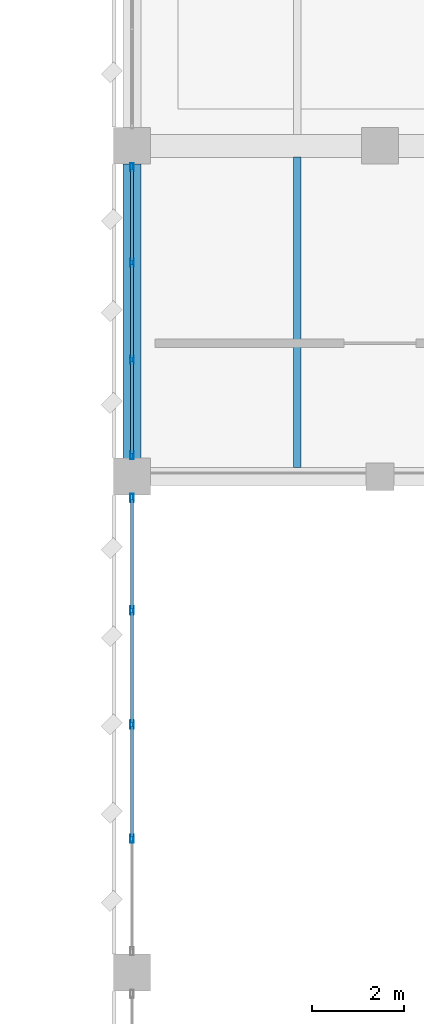
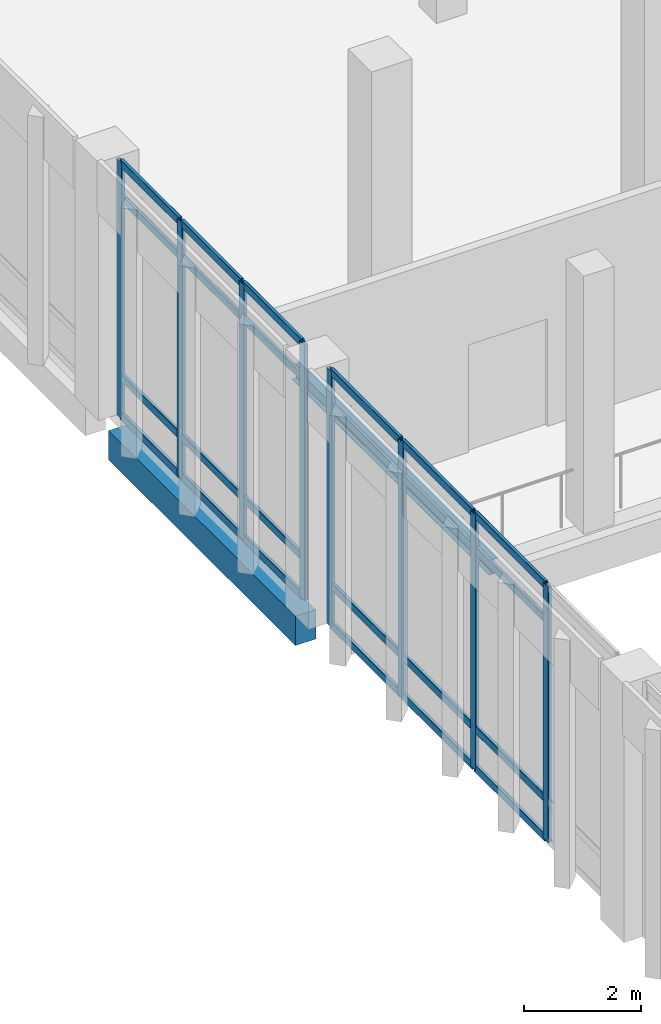
# One storey, part 17 of 180: 32 members, 2 beams, 2 elements without a shape of their own.
"""IFC4 building model written with IfcOpenShell, lengths in metres."""

from ifc_helpers import new_model, si_unit, direction, frame, origin, origin_2d, place, context, subcontext, project, spatial, rectangle, hollow_rectangle, i_section, extrude, material, material_profile, profile_set, type_object, element, aggregate, save


model = new_model("IFC4")

# Units and contexts
model_context = context("Model", 3, precision=1e-05, world=origin(), true_north=direction((0.0, 1.0)))
body_context = subcontext(model_context, "Body", "Model", "MODEL_VIEW")
ifc_project = project(units=[si_unit("LENGTHUNIT", "METRE"), si_unit("AREAUNIT", "SQUARE_METRE"), si_unit("VOLUMEUNIT", "CUBIC_METRE"), si_unit("PLANEANGLEUNIT", "RADIAN"), si_unit("MASSUNIT", "GRAM", prefix="KILO")], contexts=[model_context])

# Site, building, storey
site_placement = place(None, origin())
site = spatial("IfcSite", under=ifc_project, at=site_placement, CompositionType="ELEMENT")
building_placement = place(site_placement, origin())
building = spatial("IfcBuilding", under=site, at=building_placement, Name="Lusvemor Sports Hall", CompositionType="ELEMENT")
storey_placement = place(building_placement, frame((0.0, 0.0, 5.39990234375)))
storey = spatial("IfcBuildingStorey", under=building, at=storey_placement, Name="L01", CompositionType="ELEMENT", Elevation=5.39990234375)

# Curtain wall, members
ifc_material_1 = material(Name="Thermally broken bronze-anodized aluminium", Category="aluminium")
curtain_wall_type = type_object("IfcCurtainWallType", Name="CW_COURT_C", PredefinedType="NOTDEFINED", material=ifc_material_1)
curtain_wall_1_placement = place(storey_placement, origin())
curtain_wall_1 = element("IfcCurtainWall", 1, at=curtain_wall_1_placement, inside=storey, type_object=curtain_wall_type, Name="Curtain Wall CW-V1W-L01-4", PredefinedType="NOTDEFINED")
ifc_material_2 = material(Name="Thermally broken bronze-anodized aluminium", Category="aluminium")
ifc_material_profile_1 = material_profile(ifc_material_2, hollow_rectangle(XDim=0.070068359375, YDim=0.179931640625, WallThickness=0.0048828125, InnerFilletRadius=0.0048828125, OuterFilletRadius=0.010009765625, at=origin_2d()), Name="CWMUL180x70x5")
ifc_profile_set_1 = profile_set([ifc_material_profile_1], Name="Thermally broken bronze-anodized aluminium")
member_type_1 = type_object("IfcMemberType", Name="CW_MUL_A", PredefinedType="MULLION", material=ifc_profile_set_1)
member_1_placement = place(storey_placement, frame((0.0, 31.715087890625, 0.0), z_axis=(0.0, 0.0, 1.0), x_axis=(-1.0, 0.0, 0.0)))
member_1 = element("IfcMember", 2, at=member_1_placement, type_object=member_type_1, Name="CW03 mullion 2", PredefinedType="MULLION", context=body_context, shape_type="SweptSolid", body=[
    extrude(hollow_rectangle(XDim=0.070068359375, YDim=0.179931640625, WallThickness=0.0048828125, InnerFilletRadius=0.0048828125, OuterFilletRadius=0.010009765625, at=origin_2d()), origin(), (0.0, 0.0, 1.0), 5.35009765625),
])
member_2_placement = place(storey_placement, frame((0.0, 34.199951171875, 0.0), z_axis=(0.0, 0.0, 1.0), x_axis=(-1.0, 0.0, 0.0)))
member_2 = element("IfcMember", 3, at=member_2_placement, type_object=member_type_1, Name="CW03 mullion 3", PredefinedType="MULLION", context=body_context, shape_type="SweptSolid", body=[
    extrude(hollow_rectangle(XDim=0.070068359375, YDim=0.179931640625, WallThickness=0.0048828125, InnerFilletRadius=0.0048828125, OuterFilletRadius=0.010009765625, at=origin_2d()), origin(), (0.0, 0.0, 1.0), 5.35009765625),
])
member_3_placement = place(storey_placement, frame((0.0, 36.68505859375, 0.0), z_axis=(0.0, 0.0, 1.0), x_axis=(-1.0, 0.0, 0.0)))
member_3 = element("IfcMember", 4, at=member_3_placement, type_object=member_type_1, Name="CW03 mullion 4", PredefinedType="MULLION", context=body_context, shape_type="SweptSolid", body=[
    extrude(hollow_rectangle(XDim=0.070068359375, YDim=0.179931640625, WallThickness=0.0048828125, InnerFilletRadius=0.0048828125, OuterFilletRadius=0.010009765625, at=origin_2d()), origin(), (0.0, 0.0, 1.0), 5.35009765625),
])
member_4_placement = place(storey_placement, frame((0.0, 39.135009765625, 0.0), z_axis=(0.0, 0.0, 1.0), x_axis=(-1.0, 0.0, 0.0)))
member_4 = element("IfcMember", 5, at=member_4_placement, type_object=member_type_1, Name="CW03 mullion 5", PredefinedType="MULLION", context=body_context, shape_type="SweptSolid", body=[
    extrude(hollow_rectangle(XDim=0.070068359375, YDim=0.179931640625, WallThickness=0.0048828125, InnerFilletRadius=0.0048828125, OuterFilletRadius=0.010009765625, at=origin_2d()), origin(), (0.0, 0.0, 1.0), 5.35009765625),
])

curtain_wall_2_placement = place(storey_placement, origin())
curtain_wall_2 = element("IfcCurtainWall", 6, at=curtain_wall_2_placement, inside=storey, type_object=curtain_wall_type, Name="Curtain Wall CW-V1W-L01-5", PredefinedType="NOTDEFINED")
member_5_placement = place(storey_placement, frame((0.0, 40.06494140625, 0.0), z_axis=(0.0, 0.0, 1.0), x_axis=(-1.0, 0.0, 0.0)))
member_5 = element("IfcMember", 7, at=member_5_placement, type_object=member_type_1, Name="CW03 mullion 1", PredefinedType="MULLION", context=body_context, shape_type="SweptSolid", body=[
    extrude(hollow_rectangle(XDim=0.070068359375, YDim=0.179931640625, WallThickness=0.0048828125, InnerFilletRadius=0.0048828125, OuterFilletRadius=0.010009765625, at=origin_2d()), origin(), (0.0, 0.0, 1.0), 5.35009765625),
])
member_6_placement = place(storey_placement, frame((0.0, 42.143310546875, 0.0), z_axis=(0.0, 0.0, 1.0), x_axis=(-1.0, 0.0, 0.0)))
member_6 = element("IfcMember", 8, at=member_6_placement, type_object=member_type_1, Name="CW03 mullion 2", PredefinedType="MULLION", context=body_context, shape_type="SweptSolid", body=[
    extrude(hollow_rectangle(XDim=0.070068359375, YDim=0.179931640625, WallThickness=0.0048828125, InnerFilletRadius=0.0048828125, OuterFilletRadius=0.010009765625, at=origin_2d()), origin(), (0.0, 0.0, 1.0), 5.35009765625),
])
member_7_placement = place(storey_placement, frame((0.0, 44.256591796875, 0.0), z_axis=(0.0, 0.0, 1.0), x_axis=(-1.0, 0.0, 0.0)))
member_7 = element("IfcMember", 9, at=member_7_placement, type_object=member_type_1, Name="CW03 mullion 3", PredefinedType="MULLION", context=body_context, shape_type="SweptSolid", body=[
    extrude(hollow_rectangle(XDim=0.070068359375, YDim=0.179931640625, WallThickness=0.0048828125, InnerFilletRadius=0.0048828125, OuterFilletRadius=0.010009765625, at=origin_2d()), origin(), (0.0, 0.0, 1.0), 5.35009765625),
])
member_8_placement = place(storey_placement, frame((0.0, 46.3349609375, 0.0), z_axis=(0.0, 0.0, 1.0), x_axis=(-1.0, 0.0, 0.0)))
member_8 = element("IfcMember", 10, at=member_8_placement, type_object=member_type_1, Name="CW03 mullion 4", PredefinedType="MULLION", context=body_context, shape_type="SweptSolid", body=[
    extrude(hollow_rectangle(XDim=0.070068359375, YDim=0.179931640625, WallThickness=0.0048828125, InnerFilletRadius=0.0048828125, OuterFilletRadius=0.010009765625, at=origin_2d()), origin(), (0.0, 0.0, 1.0), 5.35009765625),
])

# Member
ifc_material_3 = material(Name="Thermally broken bronze-anodized aluminium", Category="aluminium")
ifc_material_profile_2 = material_profile(ifc_material_3, hollow_rectangle(XDim=0.06494140625, YDim=0.159912109375, WallThickness=0.00390625, InnerFilletRadius=0.00390625, OuterFilletRadius=0.008056640625, at=origin_2d()), Name="CWTRN160x65x4")
ifc_profile_set_2 = profile_set([ifc_material_profile_2], Name="Thermally broken bronze-anodized aluminium")
member_type_2 = type_object("IfcMemberType", Name="CW_TRN_A", PredefinedType="USERDEFINED", material=ifc_profile_set_2)
member_9_placement = place(storey_placement, frame((0.0, 31.75, 0.03271484375), z_axis=(0.0, 1.0, 0.0), x_axis=(-1.0, 0.0, 0.0)))
member_9 = element("IfcMember", 11, at=member_9_placement, type_object=member_type_2, Name="CW03 transom 2.1", ObjectType="TRANSOM", PredefinedType="USERDEFINED", context=body_context, shape_type="SweptSolid", body=[
    extrude(hollow_rectangle(XDim=0.06494140625, YDim=0.159912109375, WallThickness=0.00390625, InnerFilletRadius=0.00390625, OuterFilletRadius=0.008056640625, at=origin_2d()), origin(), (0.0, 0.0, 1.0), 2.4150390625),
])

member_10_placement = place(storey_placement, frame((0.0, 31.75, 0.85009765625), z_axis=(0.0, 1.0, 0.0), x_axis=(-1.0, 0.0, 0.0)))
member_10 = element("IfcMember", 12, at=member_10_placement, type_object=member_type_2, Name="CW03 transom 2.2", ObjectType="TRANSOM", PredefinedType="USERDEFINED", context=body_context, shape_type="SweptSolid", body=[
    extrude(hollow_rectangle(XDim=0.06494140625, YDim=0.159912109375, WallThickness=0.00390625, InnerFilletRadius=0.00390625, OuterFilletRadius=0.008056640625, at=origin_2d()), origin(), (0.0, 0.0, 1.0), 2.4150390625),
])

member_11_placement = place(storey_placement, frame((0.0, 31.75, 4.60009765625), z_axis=(0.0, 1.0, 0.0), x_axis=(-1.0, 0.0, 0.0)))
member_11 = element("IfcMember", 13, at=member_11_placement, type_object=member_type_2, Name="CW03 transom 2.3", ObjectType="TRANSOM", PredefinedType="USERDEFINED", context=body_context, shape_type="SweptSolid", body=[
    extrude(hollow_rectangle(XDim=0.06494140625, YDim=0.159912109375, WallThickness=0.00390625, InnerFilletRadius=0.00390625, OuterFilletRadius=0.008056640625, at=origin_2d()), origin(), (0.0, 0.0, 1.0), 2.4150390625),
])

member_12_placement = place(storey_placement, frame((0.0, 31.75, 5.317626953125), z_axis=(0.0, 1.0, 0.0), x_axis=(-1.0, 0.0, 0.0)))
member_12 = element("IfcMember", 14, at=member_12_placement, type_object=member_type_2, Name="CW03 transom 2.4", ObjectType="TRANSOM", PredefinedType="USERDEFINED", context=body_context, shape_type="SweptSolid", body=[
    extrude(hollow_rectangle(XDim=0.06494140625, YDim=0.159912109375, WallThickness=0.00390625, InnerFilletRadius=0.00390625, OuterFilletRadius=0.008056640625, at=origin_2d()), origin(), (0.0, 0.0, 1.0), 2.4150390625),
])

member_13_placement = place(storey_placement, frame((0.0, 34.235107421875, 0.03271484375), z_axis=(0.0, 1.0, 0.0), x_axis=(-1.0, 0.0, 0.0)))
member_13 = element("IfcMember", 15, at=member_13_placement, type_object=member_type_2, Name="CW03 transom 3.1", ObjectType="TRANSOM", PredefinedType="USERDEFINED", context=body_context, shape_type="SweptSolid", body=[
    extrude(hollow_rectangle(XDim=0.06494140625, YDim=0.159912109375, WallThickness=0.00390625, InnerFilletRadius=0.00390625, OuterFilletRadius=0.008056640625, at=origin_2d()), origin(), (0.0, 0.0, 1.0), 2.414794921875),
])

member_14_placement = place(storey_placement, frame((0.0, 34.235107421875, 0.85009765625), z_axis=(0.0, 1.0, 0.0), x_axis=(-1.0, 0.0, 0.0)))
member_14 = element("IfcMember", 16, at=member_14_placement, type_object=member_type_2, Name="CW03 transom 3.2", ObjectType="TRANSOM", PredefinedType="USERDEFINED", context=body_context, shape_type="SweptSolid", body=[
    extrude(hollow_rectangle(XDim=0.06494140625, YDim=0.159912109375, WallThickness=0.00390625, InnerFilletRadius=0.00390625, OuterFilletRadius=0.008056640625, at=origin_2d()), origin(), (0.0, 0.0, 1.0), 2.414794921875),
])

member_15_placement = place(storey_placement, frame((0.0, 34.235107421875, 4.60009765625), z_axis=(0.0, 1.0, 0.0), x_axis=(-1.0, 0.0, 0.0)))
member_15 = element("IfcMember", 17, at=member_15_placement, type_object=member_type_2, Name="CW03 transom 3.3", ObjectType="TRANSOM", PredefinedType="USERDEFINED", context=body_context, shape_type="SweptSolid", body=[
    extrude(hollow_rectangle(XDim=0.06494140625, YDim=0.159912109375, WallThickness=0.00390625, InnerFilletRadius=0.00390625, OuterFilletRadius=0.008056640625, at=origin_2d()), origin(), (0.0, 0.0, 1.0), 2.414794921875),
])

member_16_placement = place(storey_placement, frame((0.0, 34.235107421875, 5.317626953125), z_axis=(0.0, 1.0, 0.0), x_axis=(-1.0, 0.0, 0.0)))
member_16 = element("IfcMember", 18, at=member_16_placement, type_object=member_type_2, Name="CW03 transom 3.4", ObjectType="TRANSOM", PredefinedType="USERDEFINED", context=body_context, shape_type="SweptSolid", body=[
    extrude(hollow_rectangle(XDim=0.06494140625, YDim=0.159912109375, WallThickness=0.00390625, InnerFilletRadius=0.00390625, OuterFilletRadius=0.008056640625, at=origin_2d()), origin(), (0.0, 0.0, 1.0), 2.414794921875),
])

member_17_placement = place(storey_placement, frame((0.0, 36.719970703125, 0.03271484375), z_axis=(0.0, 1.0, 0.0), x_axis=(-1.0, 0.0, 0.0)))
member_17 = element("IfcMember", 19, at=member_17_placement, type_object=member_type_2, Name="CW03 transom 4.1", ObjectType="TRANSOM", PredefinedType="USERDEFINED", context=body_context, shape_type="SweptSolid", body=[
    extrude(hollow_rectangle(XDim=0.06494140625, YDim=0.159912109375, WallThickness=0.00390625, InnerFilletRadius=0.00390625, OuterFilletRadius=0.008056640625, at=origin_2d()), origin(), (0.0, 0.0, 1.0), 2.380126953125),
])

member_18_placement = place(storey_placement, frame((0.0, 36.719970703125, 0.85009765625), z_axis=(0.0, 1.0, 0.0), x_axis=(-1.0, 0.0, 0.0)))
member_18 = element("IfcMember", 20, at=member_18_placement, type_object=member_type_2, Name="CW03 transom 4.2", ObjectType="TRANSOM", PredefinedType="USERDEFINED", context=body_context, shape_type="SweptSolid", body=[
    extrude(hollow_rectangle(XDim=0.06494140625, YDim=0.159912109375, WallThickness=0.00390625, InnerFilletRadius=0.00390625, OuterFilletRadius=0.008056640625, at=origin_2d()), origin(), (0.0, 0.0, 1.0), 2.380126953125),
])

member_19_placement = place(storey_placement, frame((0.0, 36.719970703125, 4.60009765625), z_axis=(0.0, 1.0, 0.0), x_axis=(-1.0, 0.0, 0.0)))
member_19 = element("IfcMember", 21, at=member_19_placement, type_object=member_type_2, Name="CW03 transom 4.3", ObjectType="TRANSOM", PredefinedType="USERDEFINED", context=body_context, shape_type="SweptSolid", body=[
    extrude(hollow_rectangle(XDim=0.06494140625, YDim=0.159912109375, WallThickness=0.00390625, InnerFilletRadius=0.00390625, OuterFilletRadius=0.008056640625, at=origin_2d()), origin(), (0.0, 0.0, 1.0), 2.380126953125),
])

member_20_placement = place(storey_placement, frame((0.0, 36.719970703125, 5.317626953125), z_axis=(0.0, 1.0, 0.0), x_axis=(-1.0, 0.0, 0.0)))
member_20 = element("IfcMember", 22, at=member_20_placement, type_object=member_type_2, Name="CW03 transom 4.4", ObjectType="TRANSOM", PredefinedType="USERDEFINED", context=body_context, shape_type="SweptSolid", body=[
    extrude(hollow_rectangle(XDim=0.06494140625, YDim=0.159912109375, WallThickness=0.00390625, InnerFilletRadius=0.00390625, OuterFilletRadius=0.008056640625, at=origin_2d()), origin(), (0.0, 0.0, 1.0), 2.380126953125),
])

aggregate(curtain_wall_1, [member_1, member_2, member_3, member_4, member_9, member_10, member_11, member_12, member_13, member_14, member_15, member_16, member_17, member_18, member_19, member_20])

member_21_placement = place(storey_placement, frame((0.0, 40.10009765625, 0.03271484375), z_axis=(0.0, 1.0, 0.0), x_axis=(-1.0, 0.0, 0.0)))
member_21 = element("IfcMember", 23, at=member_21_placement, type_object=member_type_2, Name="CW03 transom 1.1", ObjectType="TRANSOM", PredefinedType="USERDEFINED", context=body_context, shape_type="SweptSolid", body=[
    extrude(hollow_rectangle(XDim=0.06494140625, YDim=0.159912109375, WallThickness=0.00390625, InnerFilletRadius=0.00390625, OuterFilletRadius=0.008056640625, at=origin_2d()), origin(), (0.0, 0.0, 1.0), 2.00830078125),
])

member_22_placement = place(storey_placement, frame((0.0, 40.10009765625, 0.85009765625), z_axis=(0.0, 1.0, 0.0), x_axis=(-1.0, 0.0, 0.0)))
member_22 = element("IfcMember", 24, at=member_22_placement, type_object=member_type_2, Name="CW03 transom 1.2", ObjectType="TRANSOM", PredefinedType="USERDEFINED", context=body_context, shape_type="SweptSolid", body=[
    extrude(hollow_rectangle(XDim=0.06494140625, YDim=0.159912109375, WallThickness=0.00390625, InnerFilletRadius=0.00390625, OuterFilletRadius=0.008056640625, at=origin_2d()), origin(), (0.0, 0.0, 1.0), 2.00830078125),
])

member_23_placement = place(storey_placement, frame((0.0, 40.10009765625, 4.60009765625), z_axis=(0.0, 1.0, 0.0), x_axis=(-1.0, 0.0, 0.0)))
member_23 = element("IfcMember", 25, at=member_23_placement, type_object=member_type_2, Name="CW03 transom 1.3", ObjectType="TRANSOM", PredefinedType="USERDEFINED", context=body_context, shape_type="SweptSolid", body=[
    extrude(hollow_rectangle(XDim=0.06494140625, YDim=0.159912109375, WallThickness=0.00390625, InnerFilletRadius=0.00390625, OuterFilletRadius=0.008056640625, at=origin_2d()), origin(), (0.0, 0.0, 1.0), 2.00830078125),
])

member_24_placement = place(storey_placement, frame((0.0, 40.10009765625, 5.317626953125), z_axis=(0.0, 1.0, 0.0), x_axis=(-1.0, 0.0, 0.0)))
member_24 = element("IfcMember", 26, at=member_24_placement, type_object=member_type_2, Name="CW03 transom 1.4", ObjectType="TRANSOM", PredefinedType="USERDEFINED", context=body_context, shape_type="SweptSolid", body=[
    extrude(hollow_rectangle(XDim=0.06494140625, YDim=0.159912109375, WallThickness=0.00390625, InnerFilletRadius=0.00390625, OuterFilletRadius=0.008056640625, at=origin_2d()), origin(), (0.0, 0.0, 1.0), 2.00830078125),
])

member_25_placement = place(storey_placement, frame((0.0, 42.17822265625, 0.03271484375), z_axis=(0.0, 1.0, 0.0), x_axis=(-1.0, 0.0, 0.0)))
member_25 = element("IfcMember", 27, at=member_25_placement, type_object=member_type_2, Name="CW03 transom 2.1", ObjectType="TRANSOM", PredefinedType="USERDEFINED", context=body_context, shape_type="SweptSolid", body=[
    extrude(hollow_rectangle(XDim=0.06494140625, YDim=0.159912109375, WallThickness=0.00390625, InnerFilletRadius=0.00390625, OuterFilletRadius=0.008056640625, at=origin_2d()), origin(), (0.0, 0.0, 1.0), 2.04345703125),
])

member_26_placement = place(storey_placement, frame((0.0, 42.17822265625, 0.85009765625), z_axis=(0.0, 1.0, 0.0), x_axis=(-1.0, 0.0, 0.0)))
member_26 = element("IfcMember", 28, at=member_26_placement, type_object=member_type_2, Name="CW03 transom 2.2", ObjectType="TRANSOM", PredefinedType="USERDEFINED", context=body_context, shape_type="SweptSolid", body=[
    extrude(hollow_rectangle(XDim=0.06494140625, YDim=0.159912109375, WallThickness=0.00390625, InnerFilletRadius=0.00390625, OuterFilletRadius=0.008056640625, at=origin_2d()), origin(), (0.0, 0.0, 1.0), 2.04345703125),
])

member_27_placement = place(storey_placement, frame((0.0, 42.17822265625, 4.60009765625), z_axis=(0.0, 1.0, 0.0), x_axis=(-1.0, 0.0, 0.0)))
member_27 = element("IfcMember", 29, at=member_27_placement, type_object=member_type_2, Name="CW03 transom 2.3", ObjectType="TRANSOM", PredefinedType="USERDEFINED", context=body_context, shape_type="SweptSolid", body=[
    extrude(hollow_rectangle(XDim=0.06494140625, YDim=0.159912109375, WallThickness=0.00390625, InnerFilletRadius=0.00390625, OuterFilletRadius=0.008056640625, at=origin_2d()), origin(), (0.0, 0.0, 1.0), 2.04345703125),
])

member_28_placement = place(storey_placement, frame((0.0, 42.17822265625, 5.317626953125), z_axis=(0.0, 1.0, 0.0), x_axis=(-1.0, 0.0, 0.0)))
member_28 = element("IfcMember", 30, at=member_28_placement, type_object=member_type_2, Name="CW03 transom 2.4", ObjectType="TRANSOM", PredefinedType="USERDEFINED", context=body_context, shape_type="SweptSolid", body=[
    extrude(hollow_rectangle(XDim=0.06494140625, YDim=0.159912109375, WallThickness=0.00390625, InnerFilletRadius=0.00390625, OuterFilletRadius=0.008056640625, at=origin_2d()), origin(), (0.0, 0.0, 1.0), 2.04345703125),
])

member_29_placement = place(storey_placement, frame((0.0, 44.291748046875, 0.03271484375), z_axis=(0.0, 1.0, 0.0), x_axis=(-1.0, 0.0, 0.0)))
member_29 = element("IfcMember", 31, at=member_29_placement, type_object=member_type_2, Name="CW03 transom 3.1", ObjectType="TRANSOM", PredefinedType="USERDEFINED", context=body_context, shape_type="SweptSolid", body=[
    extrude(hollow_rectangle(XDim=0.06494140625, YDim=0.159912109375, WallThickness=0.00390625, InnerFilletRadius=0.00390625, OuterFilletRadius=0.008056640625, at=origin_2d()), origin(), (0.0, 0.0, 1.0), 2.00830078125),
])

member_30_placement = place(storey_placement, frame((0.0, 44.291748046875, 0.85009765625), z_axis=(0.0, 1.0, 0.0), x_axis=(-1.0, 0.0, 0.0)))
member_30 = element("IfcMember", 32, at=member_30_placement, type_object=member_type_2, Name="CW03 transom 3.2", ObjectType="TRANSOM", PredefinedType="USERDEFINED", context=body_context, shape_type="SweptSolid", body=[
    extrude(hollow_rectangle(XDim=0.06494140625, YDim=0.159912109375, WallThickness=0.00390625, InnerFilletRadius=0.00390625, OuterFilletRadius=0.008056640625, at=origin_2d()), origin(), (0.0, 0.0, 1.0), 2.00830078125),
])

member_31_placement = place(storey_placement, frame((0.0, 44.291748046875, 4.60009765625), z_axis=(0.0, 1.0, 0.0), x_axis=(-1.0, 0.0, 0.0)))
member_31 = element("IfcMember", 33, at=member_31_placement, type_object=member_type_2, Name="CW03 transom 3.3", ObjectType="TRANSOM", PredefinedType="USERDEFINED", context=body_context, shape_type="SweptSolid", body=[
    extrude(hollow_rectangle(XDim=0.06494140625, YDim=0.159912109375, WallThickness=0.00390625, InnerFilletRadius=0.00390625, OuterFilletRadius=0.008056640625, at=origin_2d()), origin(), (0.0, 0.0, 1.0), 2.00830078125),
])

member_32_placement = place(storey_placement, frame((0.0, 44.291748046875, 5.317626953125), z_axis=(0.0, 1.0, 0.0), x_axis=(-1.0, 0.0, 0.0)))
member_32 = element("IfcMember", 34, at=member_32_placement, type_object=member_type_2, Name="CW03 transom 3.4", ObjectType="TRANSOM", PredefinedType="USERDEFINED", context=body_context, shape_type="SweptSolid", body=[
    extrude(hollow_rectangle(XDim=0.06494140625, YDim=0.159912109375, WallThickness=0.00390625, InnerFilletRadius=0.00390625, OuterFilletRadius=0.008056640625, at=origin_2d()), origin(), (0.0, 0.0, 1.0), 2.00830078125),
])

aggregate(curtain_wall_2, [member_5, member_6, member_7, member_8, member_21, member_22, member_23, member_24, member_25, member_26, member_27, member_28, member_29, member_30, member_31, member_32])

# Beams
ifc_material_4 = material(Name="Steel S355", Category="steel")
ifc_material_profile_3 = material_profile(ifc_material_4, i_section(OverallWidth=0.1669921875, OverallDepth=0.31689453125, WebThickness=0.007568359375, FlangeThickness=0.01318359375, FilletRadius=0.014892578125, at=origin_2d()), Name="W310x52.0")
ifc_profile_set_3 = profile_set([ifc_material_profile_3], Name="Steel S355")
beam_type_1 = type_object("IfcBeamType", Name="JOIST_ST_310M", PredefinedType="JOIST", material=ifc_profile_set_3)
beam_1_placement = place(storey_placement, frame((3.60009765625, 39.7958984375, -0.4423828125), z_axis=(0.0, 1.0, 0.0), x_axis=(-1.0, 0.0, 0.0)))
element("IfcBeam", 35, at=beam_1_placement, inside=storey, type_object=beam_type_1, Name="Secondary Joist L01 1-2/E-F #1", PredefinedType="JOIST", context=body_context, shape_type="SweptSolid", body=[
    extrude(i_section(OverallWidth=0.1669921875, OverallDepth=0.31689453125, WebThickness=0.007568359375, FlangeThickness=0.01318359375, FilletRadius=0.014892578125, at=origin_2d()), origin(), (0.0, 0.0, 1.0), 6.758056640625),
])
ifc_material_5 = material(Name="Concrete C40/50", Category="concrete")
ifc_material_profile_4 = material_profile(ifc_material_5, rectangle(XDim=0.39990234375, YDim=0.610107421875, at=origin_2d()), Name="RC400x610")
ifc_profile_set_4 = profile_set([ifc_material_profile_4], Name="Concrete C40/50")
beam_type_2 = type_object("IfcBeamType", Name="SPAND_EXT_650", PredefinedType="SPANDREL", material=ifc_profile_set_4)
beam_2_placement = place(storey_placement, frame((0.0, 39.99609375, -0.5849609375), z_axis=(0.0, 1.0, 0.0), x_axis=(-1.0, 0.0, 0.0)))
element("IfcBeam", 36, at=beam_2_placement, inside=storey, type_object=beam_type_2, Name="Beam L01 1:E-F", PredefinedType="SPANDREL", context=body_context, shape_type="SweptSolid", body=[
    extrude(rectangle(XDim=0.39990234375, YDim=0.610107421875, at=origin_2d()), origin(), (0.0, 0.0, 1.0), 6.407958984375),
])

save(model, "model.ifc")
